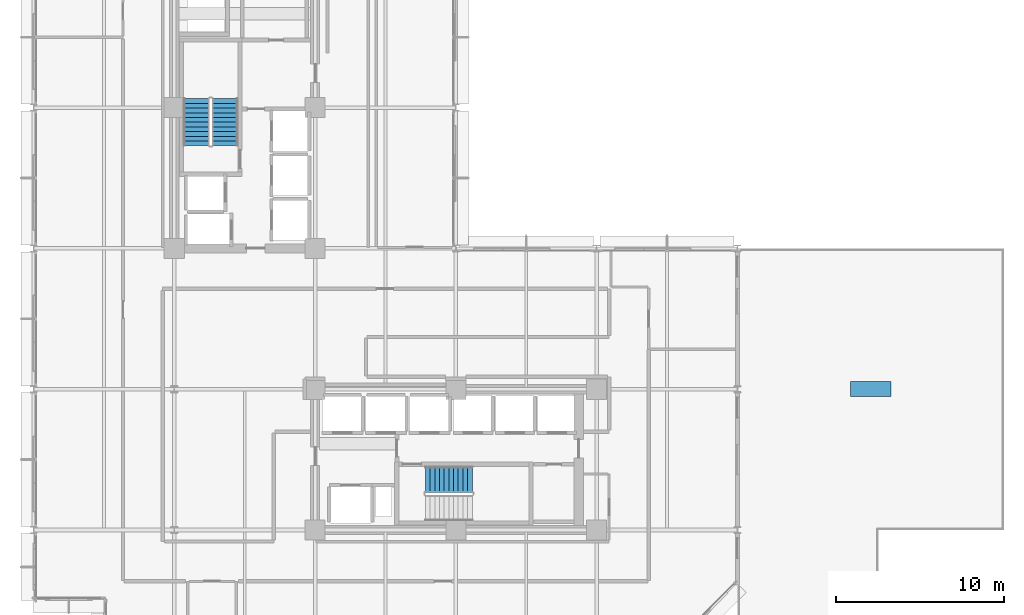
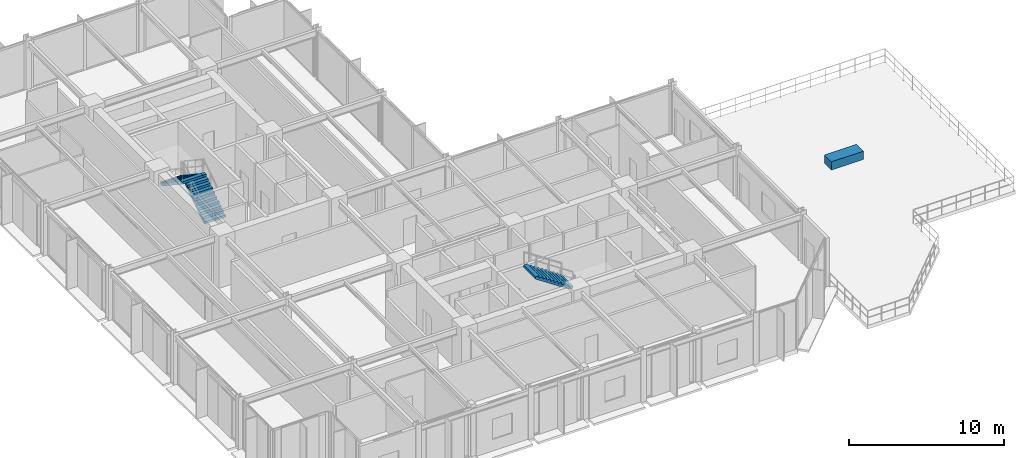
# One storey, part 21 of 25: 3 stair flights, 1 discrete accessory, 2 elements without a shape of their own.
"""IFC4 building model written with IfcOpenShell, lengths in metres."""

from ifc_helpers import new_model, si_unit, direction, frame, origin, origin_2d, place, context, subcontext, project, spatial, polyline, rectangle, outline, extrude, material, type_object, element, aggregate, save


model = new_model("IFC4")

# Units and contexts
model_context = context("Model", 3, precision=1e-05, world=origin(), true_north=direction((0.0, 1.0)))
body_context = subcontext(model_context, "Body", "Model", "MODEL_VIEW")
ifc_project = project(units=[si_unit("LENGTHUNIT", "METRE"), si_unit("AREAUNIT", "SQUARE_METRE"), si_unit("VOLUMEUNIT", "CUBIC_METRE"), si_unit("PLANEANGLEUNIT", "RADIAN"), si_unit("MASSUNIT", "GRAM", prefix="KILO")], contexts=[model_context])

# Site, building, storey
site_placement = place(None, origin())
site = spatial("IfcSite", under=ifc_project, at=site_placement, CompositionType="ELEMENT")
building_placement = place(site_placement, origin())
building = spatial("IfcBuilding", under=site, at=building_placement, Name="Nerrivon Quay Data Exchange", CompositionType="ELEMENT")
storey_placement = place(building_placement, frame((0.0, 0.0, 113.10009765625)))
storey = spatial("IfcBuildingStorey", under=building, at=storey_placement, Name="L26", CompositionType="ELEMENT", Elevation=113.10009765625)

# Stair, stair flights
ifc_material_1 = material(Name="Concrete N50 (50 MPa)", Category="concrete")
stair_type = type_object("IfcStairType", Name="STAIR-DOG-41", PredefinedType="HALF_TURN_STAIR", material=ifc_material_1)
stair_1_placement = place(storey_placement, origin())
stair_1 = element("IfcStair", 1, at=stair_1_placement, inside=storey, type_object=stair_type, Name="L26 West Core Fire Stair ST01", PredefinedType="HALF_TURN_STAIR")
stair_flight_type = type_object("IfcStairFlightType", Name="FLIGHT-DOG-41", PredefinedType="STRAIGHT", material=ifc_material_1)
stair_flight_1_placement = place(storey_placement, frame((11.425048828125, 31.330078125, 0.0), z_axis=(0.0, 0.0, 1.0), x_axis=(0.0, 1.0, 0.0)))
stair_flight_1 = element("IfcStairFlight", 2, at=stair_flight_1_placement, type_object=stair_flight_type, Name="ST01 flight 1", NumberOfRisers=11, NumberOfTreads=10, PredefinedType="STRAIGHT", RiserHeight=0.186363636, TreadLength=0.28, context=body_context, shape_type="SweptSolid", body=[
    extrude(outline(polyline([(0.0, 0.0), (0.0, 0.186279296875), (0.280029296875, 0.186279296875), (0.280029296875, 0.372802734375), (0.56005859375, 0.372802734375), (0.56005859375, 0.55908203125), (0.840087890625, 0.55908203125), (0.840087890625, 0.745361328125), (1.1201171875, 0.745361328125), (1.1201171875, 0.931884765625), (1.39990234375, 0.931884765625), (1.39990234375, 1.1181640625), (1.679931640625, 1.1181640625), (1.679931640625, 1.304443359375), (1.9599609375, 1.304443359375), (1.9599609375, 1.490966796875), (2.239990234375, 1.490966796875), (2.239990234375, 1.67724609375), (2.52001953125, 1.67724609375), (2.52001953125, 1.863525390625), (2.800048828125, 1.863525390625), (2.800048828125, 2.050048828125), (2.800048828125, 1.68359375), (0.2705078125, 0.0), (0.0, 0.0)])), frame((0.0, 0.77490234375, 0.0), z_axis=(0.0, -1.0, 0.0), x_axis=(1.0, 0.0, 0.0)), (0.0, 0.0, 1.0), 1.550048828125),
])
stair_flight_2_placement = place(storey_placement, frame((9.72509765625, 34.1298828125, 2.0498046875), z_axis=(0.0, 0.0, 1.0), x_axis=(0.0, -1.0, 0.0)))
stair_flight_2 = element("IfcStairFlight", 3, at=stair_flight_2_placement, type_object=stair_flight_type, Name="ST01 flight 2", NumberOfRisers=11, NumberOfTreads=10, PredefinedType="STRAIGHT", RiserHeight=0.186363636, TreadLength=0.28, context=body_context, shape_type="SweptSolid", body=[
    extrude(outline(polyline([(0.0, 0.0), (0.0, 0.186279296875), (0.280029296875, 0.186279296875), (0.280029296875, 0.372802734375), (0.56005859375, 0.372802734375), (0.56005859375, 0.55908203125), (0.840087890625, 0.55908203125), (0.840087890625, 0.745361328125), (1.1201171875, 0.745361328125), (1.1201171875, 0.931884765625), (1.39990234375, 0.931884765625), (1.39990234375, 1.1181640625), (1.679931640625, 1.1181640625), (1.679931640625, 1.304443359375), (1.9599609375, 1.304443359375), (1.9599609375, 1.490966796875), (2.239990234375, 1.490966796875), (2.239990234375, 1.67724609375), (2.52001953125, 1.67724609375), (2.52001953125, 1.863525390625), (2.800048828125, 1.863525390625), (2.800048828125, 2.050048828125), (2.800048828125, 1.68359375), (0.2705078125, 0.0), (0.0, 0.0)])), frame((0.0, 0.77490234375, 0.0), z_axis=(0.0, -1.0, 0.0), x_axis=(1.0, 0.0, 0.0)), (0.0, 0.0, 1.0), 1.550048828125),
])
aggregate(stair_1, [stair_flight_1, stair_flight_2])

# Stair, stair flight
stair_2_placement = place(storey_placement, origin())
stair_2 = element("IfcStair", 4, at=stair_2_placement, inside=storey, type_object=stair_type, Name="L26 East Core Fire Stair ST02", PredefinedType="HALF_TURN_STAIR")
stair_flight_3_placement = place(storey_placement, frame((26.179931640625, 11.425048828125, 2.0498046875), z_axis=(0.0, 0.0, 1.0), x_axis=(-1.0, 0.0, 0.0)))
stair_flight_3 = element("IfcStairFlight", 5, at=stair_flight_3_placement, type_object=stair_flight_type, Name="ST02 flight 2", NumberOfRisers=11, NumberOfTreads=10, PredefinedType="STRAIGHT", RiserHeight=0.186363636, TreadLength=0.28, context=body_context, shape_type="SweptSolid", body=[
    extrude(outline(polyline([(0.0, 0.0), (0.0, 0.186279296875), (0.280029296875, 0.186279296875), (0.280029296875, 0.372802734375), (0.56005859375, 0.372802734375), (0.56005859375, 0.55908203125), (0.840087890625, 0.55908203125), (0.840087890625, 0.745361328125), (1.1201171875, 0.745361328125), (1.1201171875, 0.931884765625), (1.39990234375, 0.931884765625), (1.39990234375, 1.1181640625), (1.679931640625, 1.1181640625), (1.679931640625, 1.304443359375), (1.9599609375, 1.304443359375), (1.9599609375, 1.490966796875), (2.239990234375, 1.490966796875), (2.239990234375, 1.67724609375), (2.52001953125, 1.67724609375), (2.52001953125, 1.863525390625), (2.800048828125, 1.863525390625), (2.800048828125, 2.050048828125), (2.800048828125, 1.68359375), (0.2705078125, 0.0), (0.0, 0.0)])), frame((0.0, 0.77490234375, 0.0), z_axis=(0.0, -1.0, 0.0), x_axis=(1.0, 0.0, 0.0)), (0.0, 0.0, 1.0), 1.550048828125),
])
aggregate(stair_2, [stair_flight_3])

# Discrete accessory
ifc_material_2 = material(Name="Precast concrete N50 (50 MPa)", Category="concrete")
discrete_accessory_type = type_object("IfcDiscreteAccessoryType", Name="ACC-PLANTER-1", PredefinedType="USERDEFINED", material=ifc_material_2)
discrete_accessory_placement = place(storey_placement, frame((49.949951171875, 16.800048828125, 0.0), z_axis=(0.0, 0.0, 1.0), x_axis=(1.0, 0.0, 0.0)))
element("IfcDiscreteAccessory", 6, at=discrete_accessory_placement, inside=storey, type_object=discrete_accessory_type, Name="L26 Subtropical Sky-Garden Planter 1", ObjectType="PLANTER", PredefinedType="USERDEFINED", context=body_context, shape_type="SweptSolid", body=[
    extrude(rectangle(XDim=2.39990234375, YDim=0.89990234375, at=origin_2d()), origin(), (0.0, 0.0, 1.0), 0.64990234375),
])

save(model, "model.ifc")
